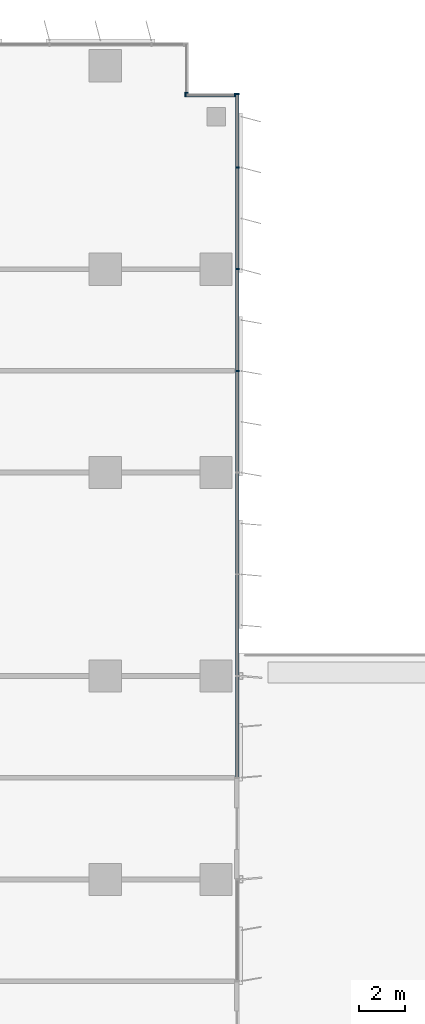
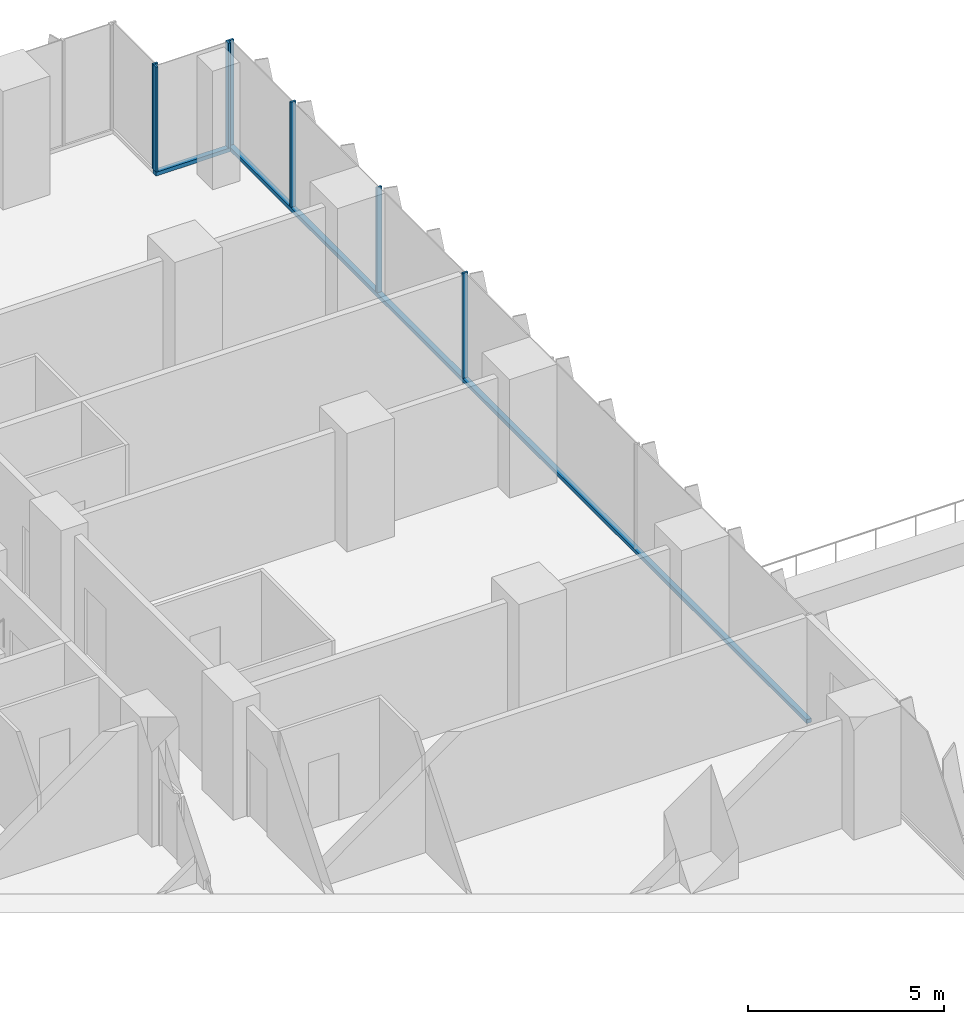
# One storey, part 6 of 23: 9 members, 3 elements without a shape of their own.
"""IFC4 building model written with IfcOpenShell, lengths in metres."""

from ifc_helpers import new_model, si_unit, direction, frame, origin, origin_2d, place, context, subcontext, project, spatial, rectangle, extrude, source, transform, mapped, material, material_profile, profile_set, type_object, element, aggregate, save


model = new_model("IFC4")

# Units and contexts
model_context = context("Model", 3, precision=1e-05, world=origin(), true_north=direction((0.0, 1.0)))
body_context = subcontext(model_context, "Body", "Model", "MODEL_VIEW")
ifc_project = project(units=[si_unit("LENGTHUNIT", "METRE"), si_unit("AREAUNIT", "SQUARE_METRE"), si_unit("VOLUMEUNIT", "CUBIC_METRE"), si_unit("PLANEANGLEUNIT", "RADIAN"), si_unit("MASSUNIT", "GRAM", prefix="KILO")], contexts=[model_context])

# Site, building, storey
site_placement = place(None, origin())
site = spatial("IfcSite", under=ifc_project, at=site_placement, CompositionType="ELEMENT")
building_placement = place(site_placement, origin())
building = spatial("IfcBuilding", under=site, at=building_placement, Name="Kemantara Hotel Tower", CompositionType="ELEMENT")
storey_placement = place(building_placement, frame((0.0, 0.0, 34.0)))
storey = spatial("IfcBuildingStorey", under=building, at=storey_placement, Name="L06", CompositionType="ELEMENT", Elevation=34.0)

# Curtain wall, member
ifc_material_1 = material(Name="Toughened tinted glass 32 mm", Category="glass")
curtain_wall_type = type_object("IfcCurtainWallType", Name="TERRACE GLAZING WALL", PredefinedType="USERDEFINED", material=ifc_material_1)
curtain_wall_1_placement = place(storey_placement, origin())
curtain_wall_1 = element("IfcCurtainWall", 1, at=curtain_wall_1_placement, inside=storey, type_object=curtain_wall_type, Name="CW6 L06 T1-R08-4", ObjectType="TERRACE GLAZING WALL", PredefinedType="USERDEFINED")
ifc_material_2 = material(Name="Aluminium 6063-T6 bronze anodised", Category="aluminium")
ifc_material_profile_1 = material_profile(ifc_material_2, rectangle(XDim=0.14990234375, YDim=0.1201171875, at=origin_2d()), Name="TERRACE GLAZING WALL TRANSOM")
ifc_profile_set_1 = profile_set([ifc_material_profile_1], Name="Aluminium 6063-T6 bronze anodised")
member_type_1 = type_object("IfcMemberType", Name="TERRACE GLAZING WALL TRANSOM", PredefinedType="USERDEFINED", material=ifc_profile_set_1)
member_1_placement = place(storey_placement, frame((26.72509765625, 49.39990234375, 0.06005859375), z_axis=(0.0, 1.0, 0.0), x_axis=(-1.0, 0.0, 0.0)))
member_1 = element("IfcMember", 2, at=member_1_placement, type_object=member_type_1, Name="CW6 sill transom T1-R08-4", ObjectType="TRANSOM", PredefinedType="USERDEFINED", context=body_context, shape_type="SweptSolid", body=[
    extrude(rectangle(XDim=0.14990234375, YDim=0.1201171875, at=origin_2d()), origin(), (0.0, 0.0, 1.0), 29.60009765625),
])

curtain_wall_2_placement = place(storey_placement, origin())
curtain_wall_2 = element("IfcCurtainWall", 3, at=curtain_wall_2_placement, inside=storey, type_object=curtain_wall_type, Name="CW6 L06 T1-R09-1", ObjectType="TERRACE GLAZING WALL", PredefinedType="USERDEFINED")
member_2_placement = place(storey_placement, frame((26.64990234375, 78.925048828125, 0.06005859375), z_axis=(-1.0, 0.0, 0.0), x_axis=(0.0, -1.0, 0.0)))
member_2 = element("IfcMember", 4, at=member_2_placement, type_object=member_type_1, Name="CW6 sill transom T1-R09-1", ObjectType="TRANSOM", PredefinedType="USERDEFINED", context=body_context, shape_type="SweptSolid", body=[
    extrude(rectangle(XDim=0.14990234375, YDim=0.1201171875, at=origin_2d()), origin(), (0.0, 0.0, 1.0), 2.199951171875),
])

# Member
ifc_material_profile_2 = material_profile(ifc_material_2, rectangle(XDim=0.14990234375, YDim=0.06005859375, at=origin_2d()), Name="TERRACE GLAZING WALL MULLION")
ifc_profile_set_2 = profile_set([ifc_material_profile_2], Name="Aluminium 6063-T6 bronze anodised")
member_type_2 = type_object("IfcMemberType", Name="TERRACE GLAZING WALL MULLION", PredefinedType="MULLION", material=ifc_profile_set_2)
shared_shape = source(origin(), body_context, "Body", "SweptSolid", [
    extrude(rectangle(XDim=0.14990234375, YDim=0.06005859375, at=origin_2d()), origin(), (0.0, 0.0, 1.0), 3.27978515625),
])
member_3_placement = place(storey_placement, frame((26.72509765625, 67.0, 0.1201171875), z_axis=(0.0, 0.0, 1.0), x_axis=(-1.0, 0.0, 0.0)))
member_3 = element("IfcMember", 5, at=member_3_placement, type_object=member_type_2, Name="CW6 mullion T1-R08-4.5", PredefinedType="MULLION", context=body_context, shape_type="MappedRepresentation", body=[
    mapped(shared_shape, transform((0.0, 0.0, 0.0))),
])

member_4_placement = place(storey_placement, frame((26.72509765625, 71.39990234375, 0.1201171875), z_axis=(0.0, 0.0, 1.0), x_axis=(-1.0, 0.0, 0.0)))
member_4 = element("IfcMember", 6, at=member_4_placement, type_object=member_type_2, Name="CW6 mullion T1-R08-4.6", PredefinedType="MULLION", context=body_context, shape_type="MappedRepresentation", body=[
    mapped(shared_shape, transform((0.0, 0.0, 0.0))),
])

member_5_placement = place(storey_placement, frame((26.72509765625, 75.800048828125, 0.1201171875), z_axis=(0.0, 0.0, 1.0), x_axis=(-1.0, 0.0, 0.0)))
member_5 = element("IfcMember", 7, at=member_5_placement, type_object=member_type_2, Name="CW6 mullion T1-R08-4.7", PredefinedType="MULLION", context=body_context, shape_type="MappedRepresentation", body=[
    mapped(shared_shape, transform((0.0, 0.0, 0.0))),
])

member_6_placement = place(storey_placement, frame((26.72509765625, 78.969970703125, 0.1201171875), z_axis=(0.0, 0.0, 1.0), x_axis=(-1.0, 0.0, 0.0)))
member_6 = element("IfcMember", 8, at=member_6_placement, type_object=member_type_2, Name="CW6 mullion T1-R08-4.8", PredefinedType="MULLION", context=body_context, shape_type="MappedRepresentation", body=[
    mapped(shared_shape, transform((0.0, 0.0, 0.0))),
])

aggregate(curtain_wall_1, [member_1, member_3, member_4, member_5, member_6])

member_7_placement = place(storey_placement, frame((26.6201171875, 78.925048828125, 0.1201171875), z_axis=(0.0, 0.0, 1.0), x_axis=(0.0, -1.0, 0.0)))
member_7 = element("IfcMember", 9, at=member_7_placement, type_object=member_type_2, Name="CW6 mullion T1-R09-1.1", PredefinedType="MULLION", context=body_context, shape_type="MappedRepresentation", body=[
    mapped(shared_shape, transform((0.0, 0.0, 0.0))),
])

member_8_placement = place(storey_placement, frame((24.47998046875, 78.925048828125, 0.1201171875), z_axis=(0.0, 0.0, 1.0), x_axis=(0.0, -1.0, 0.0)))
member_8 = element("IfcMember", 10, at=member_8_placement, type_object=member_type_2, Name="CW6 mullion T1-R09-1.2", PredefinedType="MULLION", context=body_context, shape_type="MappedRepresentation", body=[
    mapped(shared_shape, transform((0.0, 0.0, 0.0))),
])

aggregate(curtain_wall_2, [member_2, member_7, member_8])

# Curtain wall, member
curtain_wall_3_placement = place(storey_placement, origin())
curtain_wall_3 = element("IfcCurtainWall", 11, at=curtain_wall_3_placement, inside=storey, type_object=curtain_wall_type, Name="CW6 L06 T1-R10-1", ObjectType="TERRACE GLAZING WALL", PredefinedType="USERDEFINED")
member_9_placement = place(storey_placement, frame((24.52490234375, 79.030029296875, 0.1201171875), z_axis=(0.0, 0.0, 1.0), x_axis=(-1.0, 0.0, 0.0)))
member_9 = element("IfcMember", 12, at=member_9_placement, type_object=member_type_2, Name="CW6 mullion T1-R10-1.1", PredefinedType="MULLION", context=body_context, shape_type="MappedRepresentation", body=[
    mapped(shared_shape, transform((0.0, 0.0, 0.0))),
])
aggregate(curtain_wall_3, [member_9])

save(model, "model.ifc")
